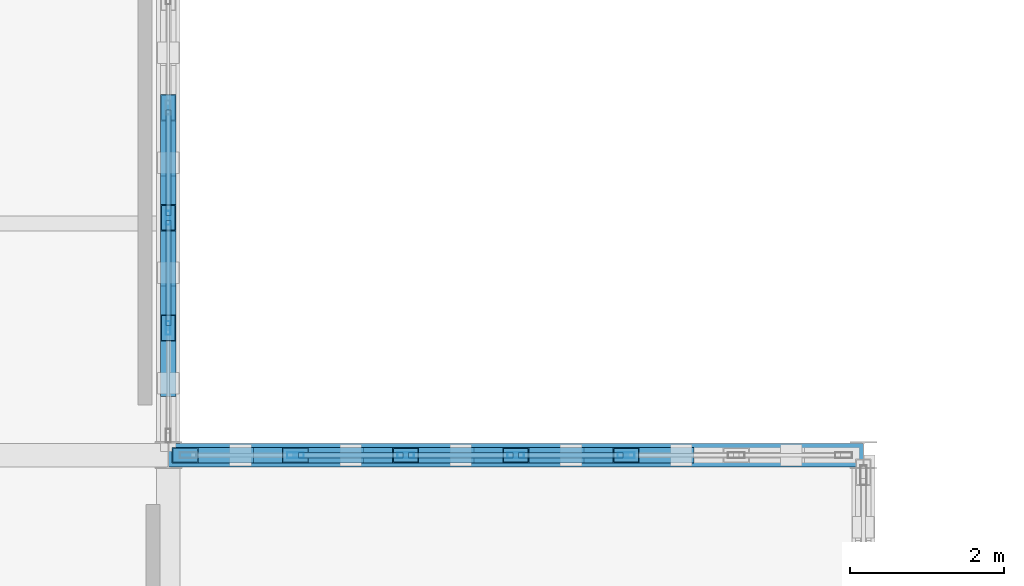
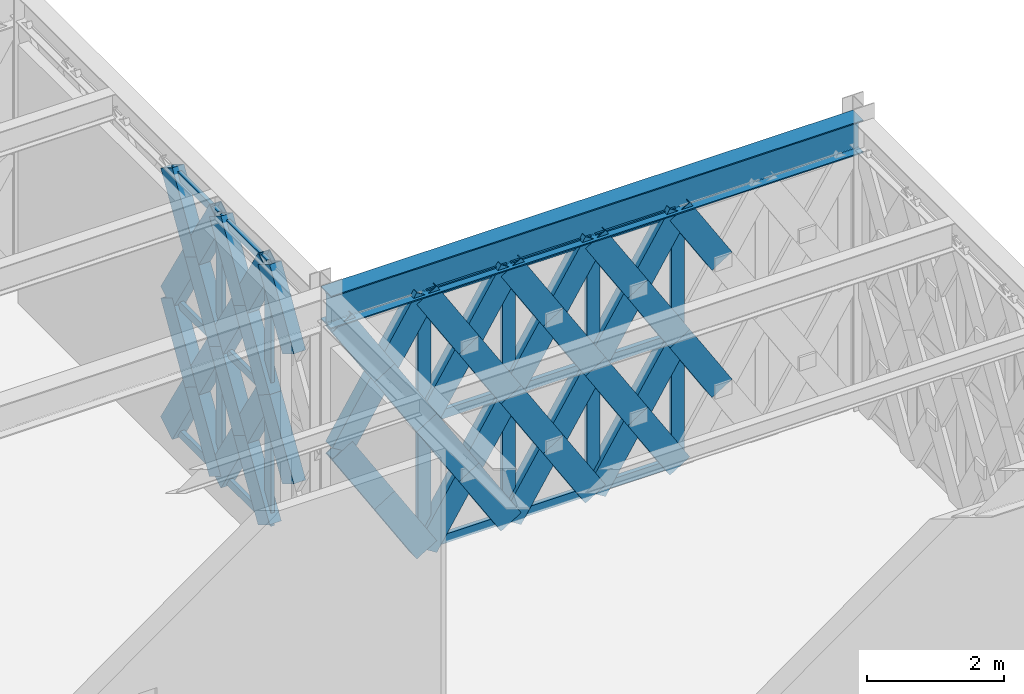
# One storey, part 120 of 166: 60 members, 1 beam, 2 elements without a shape of their own.
"""IFC4 building model written with IfcOpenShell, lengths in metres."""

import ifcopenshell
import ifcopenshell.guid

model = None  # the IFC model being written
_history = None  # IfcOwnerHistory: only IFC2X3 demands one
_inside = {}  # id of a spatial element -> (the spatial element, [elements in it])
_under = {}  # id of a project, library or spatial element -> (it, [spatial elements below it])
_declared = {}  # id of a project -> (the project, [libraries it declares])
_typed = {}  # id of a type object -> (the type object, [elements of that type])
_made_of = {}  # id of a material, layer set ... -> (it, [elements and type objects made of it])


def new_model(schema):
    """Start an empty IFC model of exactly this schema.

    Asked for "IFC4X3", IfcOpenShell would pick the latest addendum, in which some entities
    have other attributes; the version numbers below select the first issue.
    IFC2X3 requires an IfcOwnerHistory on every rooted entity: one is made here for all.
    """
    global model, _history
    if schema == "IFC4X3":
        model = ifcopenshell.file(schema_version=(4, 3, 0, 0))
    else:
        model = ifcopenshell.file(schema=schema)
    _inside.clear()
    _under.clear()
    _declared.clear()
    _typed.clear()
    _made_of.clear()
    _history = None
    if model.schema == "IFC2X3":
        org = make("IfcOrganization", Name="unknown")
        user = make(
            "IfcPersonAndOrganization",
            ThePerson=make("IfcPerson", FamilyName="unknown"),
            TheOrganization=org,
        )
        app = make(
            "IfcApplication",
            ApplicationDeveloper=org,
            Version="unknown",
            ApplicationFullName="unknown",
            ApplicationIdentifier="unknown",
        )
        _history = make(
            "IfcOwnerHistory",
            OwningUser=user,
            OwningApplication=app,
            ChangeAction="ADDED",
            CreationDate=0,
        )
    return model


def make(cls, **values):
    """One entity of the class cls with the attributes given. An attribute that is None is left unset."""
    return model.create_entity(
        cls, **{name: value for name, value in values.items() if value is not None}
    )


def rooted(cls, **values):
    """An entity with a GlobalId (a new one), such as an element, a storey or a relation."""
    return make(cls, GlobalId=ifcopenshell.guid.new(), OwnerHistory=_history, **values)


def si_unit(unit_type, name, prefix=None):
    """IfcSIUnit, for example si_unit("LENGTHUNIT", "METRE", prefix="MILLI")."""
    return make("IfcSIUnit", UnitType=unit_type, Prefix=prefix, Name=name)


def assignment(units):
    """IfcUnitAssignment: the units of a project."""
    return None if units is None else make("IfcUnitAssignment", Units=units)


def point(xyz):
    """IfcCartesianPoint."""
    return None if xyz is None else make("IfcCartesianPoint", Coordinates=xyz)


def direction(xyz):
    """IfcDirection."""
    return None if xyz is None else make("IfcDirection", DirectionRatios=xyz)


def frame(location, z_axis=None, x_axis=None):
    """IfcAxis2Placement3D, a coordinate frame: its origin and axes. An axis left out is left unset."""
    return make(
        "IfcAxis2Placement3D",
        Location=point(location),
        Axis=direction(z_axis),
        RefDirection=direction(x_axis),
    )


def frame_2d(location, x_axis=None):
    """IfcAxis2Placement2D, a coordinate frame in the plane: its origin and x axis."""
    return make(
        "IfcAxis2Placement2D", Location=point(location), RefDirection=direction(x_axis)
    )


def origin():
    """The frame at (0, 0, 0) with its axes left unset."""
    return frame((0.0, 0.0, 0.0))


def origin_2d():
    """The frame at (0, 0) in the plane with its x axis left unset."""
    return frame_2d((0.0, 0.0))


def place(relative_to, where):
    """IfcLocalPlacement: puts the frame where relative to a parent placement (None: the world)."""
    return make(
        "IfcLocalPlacement", PlacementRelTo=relative_to, RelativePlacement=where
    )


def context(
    kind, dimensions, precision=None, world=None, true_north=None, identifier=None
):
    """IfcGeometricRepresentationContext, for example the 3D "Model" context."""
    return make(
        "IfcGeometricRepresentationContext",
        ContextIdentifier=identifier,
        ContextType=kind,
        CoordinateSpaceDimension=dimensions,
        Precision=precision,
        WorldCoordinateSystem=world,
        TrueNorth=true_north,
    )


def subcontext(parent, identifier, kind, view, scale=None):
    """IfcGeometricRepresentationSubContext, for example "Body" below "Model"."""
    return make(
        "IfcGeometricRepresentationSubContext",
        ContextIdentifier=identifier,
        ContextType=kind,
        ParentContext=parent,
        TargetScale=scale,
        TargetView=view,
    )


def project(units=None, contexts=None):
    """IfcProject with its units and contexts."""
    return rooted(
        "IfcProject",
        Name="project",
        RepresentationContexts=contexts,
        UnitsInContext=assignment(units),
    )


def spatial(cls, under=None, at=None, **own):
    """A site, building, storey or space (cls), placed at a placement, below another one or the project."""
    s = rooted(cls, ObjectPlacement=at, **own)
    if under is not None:
        _under.setdefault(under.id(), (under, []))[1].append(s)
    return s


def profile(cls, at=None, kind="AREA", **sizes):
    """A parametric profile (cls). Its sizes go by their IFC names, for example OverallWidth=200.0."""
    return make(cls, ProfileType=kind, Position=at, **sizes)


def hollow_rectangle(**sizes):
    """IfcRectangleHollowProfileDef."""
    return profile("IfcRectangleHollowProfileDef", **sizes)


def i_section(**sizes):
    """IfcIShapeProfileDef."""
    return profile("IfcIShapeProfileDef", **sizes)


def extrude(swept, where, along, depth):
    """IfcExtrudedAreaSolid: the profile swept, set in the frame where, extruded along a direction by depth."""
    return make(
        "IfcExtrudedAreaSolid",
        SweptArea=swept,
        Position=where,
        ExtrudedDirection=direction(along),
        Depth=depth,
    )


def shape(context_of_items, identifier, shape_type, items):
    """IfcShapeRepresentation: the items that make up one representation, for example the "Body"."""
    return make(
        "IfcShapeRepresentation",
        ContextOfItems=context_of_items,
        RepresentationIdentifier=identifier,
        RepresentationType=shape_type,
        Items=items,
    )


def material(Name=None, Category=None):
    """IfcMaterial."""
    return make("IfcMaterial", Name=Name, Category=Category)


def material_profile(
    of_material, cross_section, Name=None, Category=None, Priority=None
):
    """IfcMaterialProfile: a cross section and its material."""
    return make(
        "IfcMaterialProfile",
        Name=Name,
        Material=of_material,
        Profile=cross_section,
        Priority=Priority,
        Category=Category,
    )


def profile_set(profiles, Name=None, composite=None):
    """IfcMaterialProfileSet."""
    return make(
        "IfcMaterialProfileSet",
        Name=Name,
        MaterialProfiles=profiles,
        CompositeProfile=composite,
    )


def made_of(thing, what):
    """Note that an element or type object is made of a material, layer set ...; save() writes the relation."""
    if what is not None:
        _made_of.setdefault(what.id(), (what, []))[1].append(thing)
    return thing


def type_object(cls, material=None, **own):
    """A type object (cls), such as IfcWallType, which elements share."""
    return made_of(rooted(cls, **own), material)


def element(
    cls,
    number,
    at=None,
    inside=None,
    cuts=None,
    type_object=None,
    material=None,
    context=None,
    identifier="Body",
    shape_type=None,
    held_by="IfcProductDefinitionShape",
    body=None,
    shapes=None,
    **own,
):
    """One element of the class cls, such as IfcWall. Its Tag is "e" and its number.

    at: its placement. inside: the storey or other place that contains it. cuts: it is an
    opening in that element (IfcRelVoidsElement). A single representation is given by context,
    identifier, shape_type and body (its items); several are given by shapes. held_by: the class
    of the entity that holds the representations. save() writes the other relations.
    """
    e = rooted(cls, Tag="e%d" % number, ObjectPlacement=at, **own)
    if body is not None:
        shapes = [shape(context, identifier, shape_type, body)]
    if shapes is not None:
        e.Representation = make(held_by, Representations=shapes)
    if inside is not None:
        _inside.setdefault(inside.id(), (inside, []))[1].append(e)
    if cuts is not None:
        rooted(
            "IfcRelVoidsElement", RelatingBuildingElement=cuts, RelatedOpeningElement=e
        )
    if type_object is not None:
        _typed.setdefault(type_object.id(), (type_object, []))[1].append(e)
    return made_of(e, material)


def aggregate(whole, parts):
    """IfcRelAggregates: a whole, such as a stair, and the parts it consists of."""
    return rooted("IfcRelAggregates", RelatingObject=whole, RelatedObjects=parts)


def save(model, path):
    """Write the relations noted so far, then the file.

    IfcRelAggregates (storeys below a building ...), IfcRelContainedInSpatialStructure (elements
    in a storey), IfcRelDefinesByType, IfcRelAssociatesMaterial and IfcRelDeclares: one each for
    every whole, place, type object, material and project.
    """
    for whole, parts in _under.values():
        aggregate(whole, parts)
    for where, things in _inside.values():
        rooted(
            "IfcRelContainedInSpatialStructure",
            RelatedElements=things,
            RelatingStructure=where,
        )
    for kind, things in _typed.values():
        rooted("IfcRelDefinesByType", RelatedObjects=things, RelatingType=kind)
    for what, things in _made_of.values():
        rooted("IfcRelAssociatesMaterial", RelatedObjects=things, RelatingMaterial=what)
    for by, libraries in _declared.values():
        rooted("IfcRelDeclares", RelatingContext=by, RelatedDefinitions=libraries)
    model.write(path)


model = new_model("IFC4")

# Units and contexts
model_context = context("Model", 3, precision=1e-05, world=origin(), true_north=direction((0.0, 1.0)))
body_context = subcontext(model_context, "Body", "Model", "MODEL_VIEW")
ifc_project = project(units=[si_unit("LENGTHUNIT", "METRE"), si_unit("AREAUNIT", "SQUARE_METRE"), si_unit("VOLUMEUNIT", "CUBIC_METRE"), si_unit("PLANEANGLEUNIT", "RADIAN"), si_unit("MASSUNIT", "GRAM", prefix="KILO")], contexts=[model_context])

# Site, building, storey
site_placement = place(None, origin())
site = spatial("IfcSite", under=ifc_project, at=site_placement, CompositionType="ELEMENT")
building_placement = place(site_placement, origin())
building = spatial("IfcBuilding", under=site, at=building_placement, Name="Haizhuo Lancet Aquarium", CompositionType="ELEMENT")
storey_placement = place(building_placement, frame((0.0, 0.0, 5.39990234375)))
storey = spatial("IfcBuildingStorey", under=building, at=storey_placement, Name="L01", CompositionType="ELEMENT", Elevation=5.39990234375)

# Beam
ifc_material_1 = material(Name="Steel S355", Category="steel")
ifc_material_profile_1 = material_profile(ifc_material_1, i_section(OverallWidth=0.300048828125, OverallDepth=0.587890625, WebThickness=0.011962890625, FlangeThickness=0.02001953125, FilletRadius=0.02587890625, at=origin_2d()), Name="HM 588x300x12x20")
ifc_profile_set_1 = profile_set([ifc_material_profile_1], Name="Steel S355")
beam_type = type_object("IfcBeamType", Name="BM-ST-HM588", PredefinedType="BEAM", material=ifc_profile_set_1)
beam_placement = place(storey_placement, frame((63.0, 27.0, 4.84619140625), z_axis=(1.0, 0.0, 0.0), x_axis=(0.0, 1.0, 0.0)))
element("IfcBeam", 1, at=beam_placement, inside=storey, type_object=beam_type, Name="L01 V7 primary girder BM-L01-V7-026", PredefinedType="BEAM", context=body_context, shape_type="SweptSolid", body=[
    extrude(i_section(OverallWidth=0.300048828125, OverallDepth=0.587890625, WebThickness=0.011962890625, FlangeThickness=0.02001953125, FilletRadius=0.02587890625, at=origin_2d()), origin(), (0.0, 0.0, 1.0), 9.0),
])

# Curtain wall, members
ifc_material_2 = material(Name="Aluminium 6063-T6", Category="aluminium")
curtain_wall_type_1 = type_object("IfcCurtainWallType", Name="CWD-8560x4650", PredefinedType="NOTDEFINED", material=ifc_material_2)
curtain_wall_1_placement = place(storey_placement, origin())
curtain_wall_1 = element("IfcCurtainWall", 2, at=curtain_wall_1_placement, inside=storey, type_object=curtain_wall_type_1, Name="L01 curtain wall CW-V7-L01-286", PredefinedType="NOTDEFINED")
ifc_material_profile_2 = material_profile(ifc_material_2, hollow_rectangle(XDim=0.06494140625, YDim=0.179931640625, WallThickness=0.00390625, at=origin_2d()), Name="ALU-M 65x180x4")
ifc_profile_set_2 = profile_set([ifc_material_profile_2], Name="Aluminium 6063-T6")
member_type_1 = type_object("IfcMemberType", Name="CW-MUL-1", PredefinedType="MULLION", material=ifc_profile_set_2)
member_1_placement = place(storey_placement, frame((63.0, 30.072998046875, 0.0), z_axis=(0.0, 0.0, 1.0), x_axis=(1.0, 0.0, 0.0)))
member_1 = element("IfcMember", 3, at=member_1_placement, type_object=member_type_1, Name="CWD-85x46 mullion 5", PredefinedType="MULLION", context=body_context, shape_type="SweptSolid", body=[
    extrude(hollow_rectangle(XDim=0.06494140625, YDim=0.179931640625, WallThickness=0.00390625, at=origin_2d()), origin(), (0.0, 0.0, 1.0), 4.652099609375),
])
member_2_placement = place(storey_placement, frame((63.0, 28.64697265625, 0.0), z_axis=(0.0, 0.0, 1.0), x_axis=(1.0, 0.0, 0.0)))
member_2 = element("IfcMember", 4, at=member_2_placement, type_object=member_type_1, Name="CWD-85x46 mullion 6", PredefinedType="MULLION", context=body_context, shape_type="SweptSolid", body=[
    extrude(hollow_rectangle(XDim=0.06494140625, YDim=0.179931640625, WallThickness=0.00390625, at=origin_2d()), origin(), (0.0, 0.0, 1.0), 4.652099609375),
])

curtain_wall_type_2 = type_object("IfcCurtainWallType", Name="CWD-8560x4550", PredefinedType="NOTDEFINED", material=ifc_material_2)
curtain_wall_2_placement = place(storey_placement, origin())
curtain_wall_2 = element("IfcCurtainWall", 5, at=curtain_wall_2_placement, inside=storey, type_object=curtain_wall_type_2, Name="L01 curtain wall CW-V7-L01-287", PredefinedType="NOTDEFINED")
ifc_material_profile_3 = material_profile(ifc_material_2, hollow_rectangle(XDim=0.074951171875, YDim=0.219970703125, WallThickness=0.0048828125, at=origin_2d()), Name="ALU-M 75x220x5")
ifc_profile_set_3 = profile_set([ifc_material_profile_3], Name="Aluminium 6063-T6")
member_type_2 = type_object("IfcMemberType", Name="CW-MUL-2", PredefinedType="MULLION", material=ifc_profile_set_3)
member_3_placement = place(storey_placement, frame((64.64697265625, 27.0, 0.0), z_axis=(0.0, 0.0, 1.0), x_axis=(0.0, 1.0, 0.0)))
member_3 = element("IfcMember", 6, at=member_3_placement, type_object=member_type_2, Name="CWD-85x45 mullion 2", PredefinedType="MULLION", context=body_context, shape_type="SweptSolid", body=[
    extrude(hollow_rectangle(XDim=0.074951171875, YDim=0.219970703125, WallThickness=0.0048828125, at=origin_2d()), origin(), (0.0, 0.0, 1.0), 4.552001953125),
])
member_4_placement = place(storey_placement, frame((66.072998046875, 27.0, 0.0), z_axis=(0.0, 0.0, 1.0), x_axis=(0.0, 1.0, 0.0)))
member_4 = element("IfcMember", 7, at=member_4_placement, type_object=member_type_2, Name="CWD-85x45 mullion 3", PredefinedType="MULLION", context=body_context, shape_type="SweptSolid", body=[
    extrude(hollow_rectangle(XDim=0.074951171875, YDim=0.219970703125, WallThickness=0.0048828125, at=origin_2d()), origin(), (0.0, 0.0, 1.0), 4.552001953125),
])
member_5_placement = place(storey_placement, frame((67.5, 27.0, 0.0), z_axis=(0.0, 0.0, 1.0), x_axis=(0.0, 1.0, 0.0)))
member_5 = element("IfcMember", 8, at=member_5_placement, type_object=member_type_2, Name="CWD-85x45 mullion 4", PredefinedType="MULLION", context=body_context, shape_type="SweptSolid", body=[
    extrude(hollow_rectangle(XDim=0.074951171875, YDim=0.219970703125, WallThickness=0.0048828125, at=origin_2d()), origin(), (0.0, 0.0, 1.0), 4.552001953125),
])
member_6_placement = place(storey_placement, frame((68.927001953125, 27.0, 0.0), z_axis=(0.0, 0.0, 1.0), x_axis=(0.0, 1.0, 0.0)))
member_6 = element("IfcMember", 9, at=member_6_placement, type_object=member_type_2, Name="CWD-85x45 mullion 5", PredefinedType="MULLION", context=body_context, shape_type="SweptSolid", body=[
    extrude(hollow_rectangle(XDim=0.074951171875, YDim=0.219970703125, WallThickness=0.0048828125, at=origin_2d()), origin(), (0.0, 0.0, 1.0), 4.552001953125),
])

# Member
ifc_material_profile_4 = material_profile(ifc_material_2, hollow_rectangle(XDim=0.06494140625, YDim=0.139892578125, WallThickness=0.00390625, at=origin_2d()), Name="ALU-T 65x140x4")
ifc_profile_set_4 = profile_set([ifc_material_profile_4], Name="Aluminium 6063-T6")
member_type_3 = type_object("IfcMemberType", Name="CW-TRN-1", PredefinedType="NOTDEFINED", material=ifc_profile_set_4)
member_7_placement = place(storey_placement, frame((63.0, 31.468017578125, 0.033203125), z_axis=(0.0, -1.0, 0.0), x_axis=(1.0, 0.0, 0.0)))
member_7 = element("IfcMember", 10, at=member_7_placement, type_object=member_type_3, Name="CWD-85x46 transom 4.1", ObjectType="TRANSOM", PredefinedType="USERDEFINED", context=body_context, shape_type="SweptSolid", body=[
    extrude(hollow_rectangle(XDim=0.06494140625, YDim=0.139892578125, WallThickness=0.00390625, at=origin_2d()), origin(), (0.0, 0.0, 1.0), 1.362060546875),
])

member_8_placement = place(storey_placement, frame((63.0, 31.468017578125, 2.326171875), z_axis=(0.0, -1.0, 0.0), x_axis=(1.0, 0.0, 0.0)))
member_8 = element("IfcMember", 11, at=member_8_placement, type_object=member_type_3, Name="CWD-85x46 transom 4.2", ObjectType="TRANSOM", PredefinedType="USERDEFINED", context=body_context, shape_type="SweptSolid", body=[
    extrude(hollow_rectangle(XDim=0.06494140625, YDim=0.139892578125, WallThickness=0.00390625, at=origin_2d()), origin(), (0.0, 0.0, 1.0), 1.362060546875),
])

member_9_placement = place(storey_placement, frame((63.0, 31.468017578125, 4.619140625), z_axis=(0.0, -1.0, 0.0), x_axis=(1.0, 0.0, 0.0)))
member_9 = element("IfcMember", 12, at=member_9_placement, type_object=member_type_3, Name="CWD-85x46 transom 4.3", ObjectType="TRANSOM", PredefinedType="USERDEFINED", context=body_context, shape_type="SweptSolid", body=[
    extrude(hollow_rectangle(XDim=0.06494140625, YDim=0.139892578125, WallThickness=0.00390625, at=origin_2d()), origin(), (0.0, 0.0, 1.0), 1.362060546875),
])

member_10_placement = place(storey_placement, frame((63.0, 30.041015625, 0.033203125), z_axis=(0.0, -1.0, 0.0), x_axis=(1.0, 0.0, 0.0)))
member_10 = element("IfcMember", 13, at=member_10_placement, type_object=member_type_3, Name="CWD-85x46 transom 5.1", ObjectType="TRANSOM", PredefinedType="USERDEFINED", context=body_context, shape_type="SweptSolid", body=[
    extrude(hollow_rectangle(XDim=0.06494140625, YDim=0.139892578125, WallThickness=0.00390625, at=origin_2d()), origin(), (0.0, 0.0, 1.0), 1.362060546875),
])

member_11_placement = place(storey_placement, frame((63.0, 30.041015625, 2.326171875), z_axis=(0.0, -1.0, 0.0), x_axis=(1.0, 0.0, 0.0)))
member_11 = element("IfcMember", 14, at=member_11_placement, type_object=member_type_3, Name="CWD-85x46 transom 5.2", ObjectType="TRANSOM", PredefinedType="USERDEFINED", context=body_context, shape_type="SweptSolid", body=[
    extrude(hollow_rectangle(XDim=0.06494140625, YDim=0.139892578125, WallThickness=0.00390625, at=origin_2d()), origin(), (0.0, 0.0, 1.0), 1.362060546875),
])

member_12_placement = place(storey_placement, frame((63.0, 30.041015625, 4.619140625), z_axis=(0.0, -1.0, 0.0), x_axis=(1.0, 0.0, 0.0)))
member_12 = element("IfcMember", 15, at=member_12_placement, type_object=member_type_3, Name="CWD-85x46 transom 5.3", ObjectType="TRANSOM", PredefinedType="USERDEFINED", context=body_context, shape_type="SweptSolid", body=[
    extrude(hollow_rectangle(XDim=0.06494140625, YDim=0.139892578125, WallThickness=0.00390625, at=origin_2d()), origin(), (0.0, 0.0, 1.0), 1.362060546875),
])

aggregate(curtain_wall_1, [member_1, member_2, member_7, member_8, member_9, member_10, member_11, member_12])

ifc_material_profile_5 = material_profile(ifc_material_2, hollow_rectangle(XDim=0.074951171875, YDim=0.159912109375, WallThickness=0.00390625, at=origin_2d()), Name="ALU-T 75x160x4")
ifc_profile_set_5 = profile_set([ifc_material_profile_5], Name="Aluminium 6063-T6")
member_type_4 = type_object("IfcMemberType", Name="CW-TRN-2", PredefinedType="NOTDEFINED", material=ifc_profile_set_5)
member_13_placement = place(storey_placement, frame((64.68408203125, 27.0, 0.0380859375), z_axis=(1.0, 0.0, 0.0), x_axis=(0.0, 1.0, 0.0)))
member_13 = element("IfcMember", 16, at=member_13_placement, type_object=member_type_4, Name="CWD-85x45 transom 2.1", ObjectType="TRANSOM", PredefinedType="USERDEFINED", context=body_context, shape_type="SweptSolid", body=[
    extrude(hollow_rectangle(XDim=0.074951171875, YDim=0.159912109375, WallThickness=0.00390625, at=origin_2d()), origin(), (0.0, 0.0, 1.0), 1.351806640625),
])

member_14_placement = place(storey_placement, frame((64.68408203125, 27.0, 2.276123046875), z_axis=(1.0, 0.0, 0.0), x_axis=(0.0, 1.0, 0.0)))
member_14 = element("IfcMember", 17, at=member_14_placement, type_object=member_type_4, Name="CWD-85x45 transom 2.2", ObjectType="TRANSOM", PredefinedType="USERDEFINED", context=body_context, shape_type="SweptSolid", body=[
    extrude(hollow_rectangle(XDim=0.074951171875, YDim=0.159912109375, WallThickness=0.00390625, at=origin_2d()), origin(), (0.0, 0.0, 1.0), 1.351806640625),
])

member_15_placement = place(storey_placement, frame((64.68408203125, 27.0, 4.51513671875), z_axis=(1.0, 0.0, 0.0), x_axis=(0.0, 1.0, 0.0)))
member_15 = element("IfcMember", 18, at=member_15_placement, type_object=member_type_4, Name="CWD-85x45 transom 2.3", ObjectType="TRANSOM", PredefinedType="USERDEFINED", context=body_context, shape_type="SweptSolid", body=[
    extrude(hollow_rectangle(XDim=0.074951171875, YDim=0.159912109375, WallThickness=0.00390625, at=origin_2d()), origin(), (0.0, 0.0, 1.0), 1.351806640625),
])

member_16_placement = place(storey_placement, frame((66.111083984375, 27.0, 0.0380859375), z_axis=(1.0, 0.0, 0.0), x_axis=(0.0, 1.0, 0.0)))
member_16 = element("IfcMember", 19, at=member_16_placement, type_object=member_type_4, Name="CWD-85x45 transom 3.1", ObjectType="TRANSOM", PredefinedType="USERDEFINED", context=body_context, shape_type="SweptSolid", body=[
    extrude(hollow_rectangle(XDim=0.074951171875, YDim=0.159912109375, WallThickness=0.00390625, at=origin_2d()), origin(), (0.0, 0.0, 1.0), 1.351806640625),
])

member_17_placement = place(storey_placement, frame((66.111083984375, 27.0, 2.276123046875), z_axis=(1.0, 0.0, 0.0), x_axis=(0.0, 1.0, 0.0)))
member_17 = element("IfcMember", 20, at=member_17_placement, type_object=member_type_4, Name="CWD-85x45 transom 3.2", ObjectType="TRANSOM", PredefinedType="USERDEFINED", context=body_context, shape_type="SweptSolid", body=[
    extrude(hollow_rectangle(XDim=0.074951171875, YDim=0.159912109375, WallThickness=0.00390625, at=origin_2d()), origin(), (0.0, 0.0, 1.0), 1.351806640625),
])

member_18_placement = place(storey_placement, frame((66.111083984375, 27.0, 4.51513671875), z_axis=(1.0, 0.0, 0.0), x_axis=(0.0, 1.0, 0.0)))
member_18 = element("IfcMember", 21, at=member_18_placement, type_object=member_type_4, Name="CWD-85x45 transom 3.3", ObjectType="TRANSOM", PredefinedType="USERDEFINED", context=body_context, shape_type="SweptSolid", body=[
    extrude(hollow_rectangle(XDim=0.074951171875, YDim=0.159912109375, WallThickness=0.00390625, at=origin_2d()), origin(), (0.0, 0.0, 1.0), 1.351806640625),
])

member_19_placement = place(storey_placement, frame((67.537109375, 27.0, 0.0380859375), z_axis=(1.0, 0.0, 0.0), x_axis=(0.0, 1.0, 0.0)))
member_19 = element("IfcMember", 22, at=member_19_placement, type_object=member_type_4, Name="CWD-85x45 transom 4.1", ObjectType="TRANSOM", PredefinedType="USERDEFINED", context=body_context, shape_type="SweptSolid", body=[
    extrude(hollow_rectangle(XDim=0.074951171875, YDim=0.159912109375, WallThickness=0.00390625, at=origin_2d()), origin(), (0.0, 0.0, 1.0), 1.351806640625),
])

member_20_placement = place(storey_placement, frame((67.537109375, 27.0, 2.276123046875), z_axis=(1.0, 0.0, 0.0), x_axis=(0.0, 1.0, 0.0)))
member_20 = element("IfcMember", 23, at=member_20_placement, type_object=member_type_4, Name="CWD-85x45 transom 4.2", ObjectType="TRANSOM", PredefinedType="USERDEFINED", context=body_context, shape_type="SweptSolid", body=[
    extrude(hollow_rectangle(XDim=0.074951171875, YDim=0.159912109375, WallThickness=0.00390625, at=origin_2d()), origin(), (0.0, 0.0, 1.0), 1.351806640625),
])

member_21_placement = place(storey_placement, frame((67.537109375, 27.0, 4.51513671875), z_axis=(1.0, 0.0, 0.0), x_axis=(0.0, 1.0, 0.0)))
member_21 = element("IfcMember", 24, at=member_21_placement, type_object=member_type_4, Name="CWD-85x45 transom 4.3", ObjectType="TRANSOM", PredefinedType="USERDEFINED", context=body_context, shape_type="SweptSolid", body=[
    extrude(hollow_rectangle(XDim=0.074951171875, YDim=0.159912109375, WallThickness=0.00390625, at=origin_2d()), origin(), (0.0, 0.0, 1.0), 1.351806640625),
])

aggregate(curtain_wall_2, [member_3, member_4, member_5, member_6, member_13, member_14, member_15, member_16, member_17, member_18, member_19, member_20, member_21])

# Members
ifc_material_profile_6 = material_profile(ifc_material_1, hollow_rectangle(XDim=0.199951171875, YDim=0.39990234375, WallThickness=0.011962890625, at=origin_2d()), Name="RHS 200x400x12")
ifc_profile_set_6 = profile_set([ifc_material_profile_6], Name="Steel S355")
member_type_5 = type_object("IfcMemberType", Name="MEM-LB-RHS200x400", PredefinedType="BRACE", material=ifc_profile_set_6)
member_22_placement = place(storey_placement, frame((63.0, 31.5, 0.0), z_axis=(0.0, -0.522903960116, 0.85239160513), x_axis=(1.0, 0.0, 0.0)))
element("IfcMember", 25, at=member_22_placement, inside=storey, type_object=member_type_5, Name="Gothic lancet continuous diagonal brace CW-V7-L01-286 7A", PredefinedType="BRACE", context=body_context, shape_type="SweptSolid", body=[
    extrude(hollow_rectangle(XDim=0.199951171875, YDim=0.39990234375, WallThickness=0.011962890625, at=origin_2d()), origin(), (0.0, 0.0, 1.0), 2.72900390625),
])
member_23_placement = place(storey_placement, frame((63.0, 30.072998046875, 0.0), z_axis=(0.0, 0.523228847887, 0.85219221584), x_axis=(-1.0, 0.0, 0.0)))
element("IfcMember", 26, at=member_23_placement, inside=storey, type_object=member_type_5, Name="Gothic lancet split diagonal brace CW-V7-L01-286 7B1", PredefinedType="BRACE", context=body_context, shape_type="SweptSolid", body=[
    extrude(hollow_rectangle(XDim=0.199951171875, YDim=0.39990234375, WallThickness=0.011962890625, at=origin_2d()), origin(), (0.0, 0.0, 1.0), 1.36474609375),
])
member_24_placement = place(storey_placement, frame((63.0, 30.787109375, 1.1630859375), z_axis=(0.0, 0.522578844291, 0.852590963768), x_axis=(-1.0, 0.0, 0.0)))
element("IfcMember", 27, at=member_24_placement, inside=storey, type_object=member_type_5, Name="Gothic lancet split diagonal brace CW-V7-L01-286 7B2", PredefinedType="BRACE", context=body_context, shape_type="SweptSolid", body=[
    extrude(hollow_rectangle(XDim=0.199951171875, YDim=0.39990234375, WallThickness=0.011962890625, at=origin_2d()), origin(), (0.0, 0.0, 1.0), 1.3642578125),
])
member_25_placement = place(storey_placement, frame((63.0, 31.5, 2.326171875), z_axis=(0.0, -0.522943837384, 0.852367140933), x_axis=(1.0, 0.0, 0.0)))
element("IfcMember", 28, at=member_25_placement, inside=storey, type_object=member_type_5, Name="Gothic lancet continuous diagonal brace CW-V7-L01-286 8A", PredefinedType="BRACE", context=body_context, shape_type="SweptSolid", body=[
    extrude(hollow_rectangle(XDim=0.199951171875, YDim=0.39990234375, WallThickness=0.011962890625, at=origin_2d()), origin(), (0.0, 0.0, 1.0), 2.728759765625),
])
member_26_placement = place(storey_placement, frame((63.0, 30.072998046875, 2.326171875), z_axis=(0.0, 0.523308619575, 0.85214323249), x_axis=(-1.0, 0.0, 0.0)))
element("IfcMember", 29, at=member_26_placement, inside=storey, type_object=member_type_5, Name="Gothic lancet split diagonal brace CW-V7-L01-286 8B1", PredefinedType="BRACE", context=body_context, shape_type="SweptSolid", body=[
    extrude(hollow_rectangle(XDim=0.199951171875, YDim=0.39990234375, WallThickness=0.011962890625, at=origin_2d()), origin(), (0.0, 0.0, 1.0), 1.364501953125),
])
member_27_placement = place(storey_placement, frame((63.0, 30.787109375, 3.489013671875), z_axis=(0.0, 0.522578844291, 0.852590963768), x_axis=(-1.0, 0.0, 0.0)))
element("IfcMember", 30, at=member_27_placement, inside=storey, type_object=member_type_5, Name="Gothic lancet split diagonal brace CW-V7-L01-286 8B2", PredefinedType="BRACE", context=body_context, shape_type="SweptSolid", body=[
    extrude(hollow_rectangle(XDim=0.199951171875, YDim=0.39990234375, WallThickness=0.011962890625, at=origin_2d()), origin(), (0.0, 0.0, 1.0), 1.3642578125),
])
member_28_placement = place(storey_placement, frame((63.0, 30.072998046875, 0.0), z_axis=(0.0, -0.522643885704, 0.852551094502), x_axis=(1.0, 0.0, 0.0)))
element("IfcMember", 31, at=member_28_placement, inside=storey, type_object=member_type_5, Name="Gothic lancet continuous diagonal brace CW-V7-L01-286 9A", PredefinedType="BRACE", context=body_context, shape_type="SweptSolid", body=[
    extrude(hollow_rectangle(XDim=0.199951171875, YDim=0.39990234375, WallThickness=0.011962890625, at=origin_2d()), origin(), (0.0, 0.0, 1.0), 2.728515625),
])
for number, where, z_axis, x_axis, name in (
    (32, (63.0, 28.64697265625, 0.0), (0.0, 0.522708917992, 0.852511224003), (-1.0, 0.0, 0.0), "Gothic lancet split diagonal brace CW-V7-L01-286 9B1"),
    (33, (63.0, 29.360107421875, 1.1630859375), (0.0, 0.522578844291, 0.852590963768), (-1.0, 0.0, 0.0), "Gothic lancet split diagonal brace CW-V7-L01-286 9B2"),
):
    element("IfcMember", number, at=place(storey_placement, frame(where, z_axis=z_axis, x_axis=x_axis)), inside=storey, type_object=member_type_5, Name=name, PredefinedType="BRACE", context=body_context, shape_type="SweptSolid", body=[
        extrude(hollow_rectangle(XDim=0.199951171875, YDim=0.39990234375, WallThickness=0.011962890625, at=origin_2d()), origin(), (0.0, 0.0, 1.0), 1.3642578125),
    ])
member_29_placement = place(storey_placement, frame((63.0, 30.072998046875, 2.326171875), z_axis=(0.0, -0.522683758057, 0.852526650061), x_axis=(1.0, 0.0, 0.0)))
element("IfcMember", 34, at=member_29_placement, inside=storey, type_object=member_type_5, Name="Gothic lancet continuous diagonal brace CW-V7-L01-286 10A", PredefinedType="BRACE", context=body_context, shape_type="SweptSolid", body=[
    extrude(hollow_rectangle(XDim=0.199951171875, YDim=0.39990234375, WallThickness=0.011962890625, at=origin_2d()), origin(), (0.0, 0.0, 1.0), 2.728271484375),
])
member_30_placement = place(storey_placement, frame((63.0, 28.64697265625, 2.326171875), z_axis=(0.0, 0.5227886701, 0.852462319646), x_axis=(-1.0, 0.0, 0.0)))
element("IfcMember", 35, at=member_30_placement, inside=storey, type_object=member_type_5, Name="Gothic lancet split diagonal brace CW-V7-L01-286 10B1", PredefinedType="BRACE", context=body_context, shape_type="SweptSolid", body=[
    extrude(hollow_rectangle(XDim=0.199951171875, YDim=0.39990234375, WallThickness=0.011962890625, at=origin_2d()), origin(), (0.0, 0.0, 1.0), 1.364013671875),
])
member_31_placement = place(storey_placement, frame((63.0, 29.360107421875, 3.489013671875), z_axis=(0.0, 0.522578844291, 0.852590963768), x_axis=(-1.0, 0.0, 0.0)))
element("IfcMember", 36, at=member_31_placement, inside=storey, type_object=member_type_5, Name="Gothic lancet split diagonal brace CW-V7-L01-286 10B2", PredefinedType="BRACE", context=body_context, shape_type="SweptSolid", body=[
    extrude(hollow_rectangle(XDim=0.199951171875, YDim=0.39990234375, WallThickness=0.011962890625, at=origin_2d()), origin(), (0.0, 0.0, 1.0), 1.3642578125),
])
for number, where, z_axis, x_axis, name in (
    (37, (63.0, 27.93310546875, 1.1630859375), (0.0, 0.52309892014, 0.852271975222), (-1.0, 0.0, 0.0), "Gothic lancet split diagonal brace CW-V7-L01-286 11B2"),
    (38, (63.0, 27.93310546875, 3.489013671875), (0.0, 0.52309892014, 0.852271975222), (-1.0, 0.0, 0.0), "Gothic lancet split diagonal brace CW-V7-L01-286 12B2"),
):
    element("IfcMember", number, at=place(storey_placement, frame(where, z_axis=z_axis, x_axis=x_axis)), inside=storey, type_object=member_type_5, Name=name, PredefinedType="BRACE", context=body_context, shape_type="SweptSolid", body=[
        extrude(hollow_rectangle(XDim=0.199951171875, YDim=0.39990234375, WallThickness=0.011962890625, at=origin_2d()), origin(), (0.0, 0.0, 1.0), 1.36474609375),
    ])
member_32_placement = place(storey_placement, frame((64.64697265625, 27.0, 0.0), z_axis=(-0.530815710653, 0.0, 0.847487275022), x_axis=(0.0, -1.0, 0.0)))
element("IfcMember", 39, at=member_32_placement, inside=storey, type_object=member_type_5, Name="Gothic lancet split diagonal brace CW-V7-L01-287 1B1", PredefinedType="BRACE", context=body_context, shape_type="SweptSolid", body=[
    extrude(hollow_rectangle(XDim=0.199951171875, YDim=0.39990234375, WallThickness=0.011962890625, at=origin_2d()), origin(), (0.0, 0.0, 1.0), 1.343017578125),
])
member_33_placement = place(storey_placement, frame((63.93408203125, 27.0, 1.13818359375), z_axis=(-0.531549873957, 0.0, 0.847026995731), x_axis=(0.0, -1.0, 0.0)))
element("IfcMember", 40, at=member_33_placement, inside=storey, type_object=member_type_5, Name="Gothic lancet split diagonal brace CW-V7-L01-287 1B2", PredefinedType="BRACE", context=body_context, shape_type="SweptSolid", body=[
    extrude(hollow_rectangle(XDim=0.199951171875, YDim=0.39990234375, WallThickness=0.011962890625, at=origin_2d()), origin(), (0.0, 0.0, 1.0), 1.343505859375),
])
member_34_placement = place(storey_placement, frame((63.219970703125, 27.0, 2.276123046875), z_axis=(0.531223804613, 0.0, 0.847231532353), x_axis=(0.0, 1.0, 0.0)))
element("IfcMember", 41, at=member_34_placement, inside=storey, type_object=member_type_5, Name="Gothic lancet continuous diagonal brace CW-V7-L01-287 2A", PredefinedType="BRACE", context=body_context, shape_type="SweptSolid", body=[
    extrude(hollow_rectangle(XDim=0.199951171875, YDim=0.39990234375, WallThickness=0.011962890625, at=origin_2d()), origin(), (0.0, 0.0, 1.0), 2.686279296875),
])
member_35_placement = place(storey_placement, frame((64.64697265625, 27.0, 2.276123046875), z_axis=(-0.530897499042, 0.0, 0.847436042136), x_axis=(0.0, -1.0, 0.0)))
element("IfcMember", 42, at=member_35_placement, inside=storey, type_object=member_type_5, Name="Gothic lancet split diagonal brace CW-V7-L01-287 2B1", PredefinedType="BRACE", context=body_context, shape_type="SweptSolid", body=[
    extrude(hollow_rectangle(XDim=0.199951171875, YDim=0.39990234375, WallThickness=0.011962890625, at=origin_2d()), origin(), (0.0, 0.0, 1.0), 1.3427734375),
])
member_36_placement = place(storey_placement, frame((63.93408203125, 27.0, 3.4140625), z_axis=(-0.531549873957, 0.0, 0.847026995731), x_axis=(0.0, -1.0, 0.0)))
element("IfcMember", 43, at=member_36_placement, inside=storey, type_object=member_type_5, Name="Gothic lancet split diagonal brace CW-V7-L01-287 2B2", PredefinedType="BRACE", context=body_context, shape_type="SweptSolid", body=[
    extrude(hollow_rectangle(XDim=0.199951171875, YDim=0.39990234375, WallThickness=0.011962890625, at=origin_2d()), origin(), (0.0, 0.0, 1.0), 1.343505859375),
])
member_37_placement = place(storey_placement, frame((64.64697265625, 27.0, 0.0), z_axis=(0.53092188125, 0.0, 0.847420766803), x_axis=(0.0, 1.0, 0.0)))
element("IfcMember", 44, at=member_37_placement, inside=storey, type_object=member_type_5, Name="Gothic lancet continuous diagonal brace CW-V7-L01-287 3A", PredefinedType="BRACE", context=body_context, shape_type="SweptSolid", body=[
    extrude(hollow_rectangle(XDim=0.199951171875, YDim=0.39990234375, WallThickness=0.011962890625, at=origin_2d()), origin(), (0.0, 0.0, 1.0), 2.68603515625),
])
for number, where, z_axis, x_axis, name in (
    (45, (66.072998046875, 27.0, 0.0), (-0.530815710653, 0.0, 0.847487275022), (0.0, -1.0, 0.0), "Gothic lancet split diagonal brace CW-V7-L01-287 3B1"),
    (46, (65.360107421875, 27.0, 1.13818359375), (-0.531028049623, 0.0, 0.847354241456), (0.0, -1.0, 0.0), "Gothic lancet split diagonal brace CW-V7-L01-287 3B2"),
):
    element("IfcMember", number, at=place(storey_placement, frame(where, z_axis=z_axis, x_axis=x_axis)), inside=storey, type_object=member_type_5, Name=name, PredefinedType="BRACE", context=body_context, shape_type="SweptSolid", body=[
        extrude(hollow_rectangle(XDim=0.199951171875, YDim=0.39990234375, WallThickness=0.011962890625, at=origin_2d()), origin(), (0.0, 0.0, 1.0), 1.343017578125),
    ])
member_38_placement = place(storey_placement, frame((64.64697265625, 27.0, 2.276123046875), z_axis=(0.530962779059, 0.0, 0.847395142336), x_axis=(0.0, 1.0, 0.0)))
element("IfcMember", 47, at=member_38_placement, inside=storey, type_object=member_type_5, Name="Gothic lancet continuous diagonal brace CW-V7-L01-287 4A", PredefinedType="BRACE", context=body_context, shape_type="SweptSolid", body=[
    extrude(hollow_rectangle(XDim=0.199951171875, YDim=0.39990234375, WallThickness=0.011962890625, at=origin_2d()), origin(), (0.0, 0.0, 1.0), 2.685791015625),
])
member_39_placement = place(storey_placement, frame((66.072998046875, 27.0, 2.276123046875), z_axis=(-0.530897499042, 0.0, 0.847436042136), x_axis=(0.0, -1.0, 0.0)))
element("IfcMember", 48, at=member_39_placement, inside=storey, type_object=member_type_5, Name="Gothic lancet split diagonal brace CW-V7-L01-287 4B1", PredefinedType="BRACE", context=body_context, shape_type="SweptSolid", body=[
    extrude(hollow_rectangle(XDim=0.199951171875, YDim=0.39990234375, WallThickness=0.011962890625, at=origin_2d()), origin(), (0.0, 0.0, 1.0), 1.3427734375),
])
member_40_placement = place(storey_placement, frame((65.360107421875, 27.0, 3.4140625), z_axis=(-0.531028049623, 0.0, 0.847354241456), x_axis=(0.0, -1.0, 0.0)))
element("IfcMember", 49, at=member_40_placement, inside=storey, type_object=member_type_5, Name="Gothic lancet split diagonal brace CW-V7-L01-287 4B2", PredefinedType="BRACE", context=body_context, shape_type="SweptSolid", body=[
    extrude(hollow_rectangle(XDim=0.199951171875, YDim=0.39990234375, WallThickness=0.011962890625, at=origin_2d()), origin(), (0.0, 0.0, 1.0), 1.343017578125),
])
member_41_placement = place(storey_placement, frame((66.072998046875, 27.0, 0.0), z_axis=(0.531182902496, 0.0, 0.84725717707), x_axis=(0.0, 1.0, 0.0)))
element("IfcMember", 50, at=member_41_placement, inside=storey, type_object=member_type_5, Name="Gothic lancet continuous diagonal brace CW-V7-L01-287 5A", PredefinedType="BRACE", context=body_context, shape_type="SweptSolid", body=[
    extrude(hollow_rectangle(XDim=0.199951171875, YDim=0.39990234375, WallThickness=0.011962890625, at=origin_2d()), origin(), (0.0, 0.0, 1.0), 2.6865234375),
])
member_42_placement = place(storey_placement, frame((67.5, 27.0, 0.0), z_axis=(-0.531468064081, 0.0, 0.847078329827), x_axis=(0.0, -1.0, 0.0)))
element("IfcMember", 51, at=member_42_placement, inside=storey, type_object=member_type_5, Name="Gothic lancet split diagonal brace CW-V7-L01-287 5B1", PredefinedType="BRACE", context=body_context, shape_type="SweptSolid", body=[
    extrude(hollow_rectangle(XDim=0.199951171875, YDim=0.39990234375, WallThickness=0.011962890625, at=origin_2d()), origin(), (0.0, 0.0, 1.0), 1.34375),
])
member_43_placement = place(storey_placement, frame((66.785888671875, 27.0, 1.13818359375), z_axis=(-0.530897499042, 0.0, 0.847436042136), x_axis=(0.0, -1.0, 0.0)))
element("IfcMember", 52, at=member_43_placement, inside=storey, type_object=member_type_5, Name="Gothic lancet split diagonal brace CW-V7-L01-287 5B2", PredefinedType="BRACE", context=body_context, shape_type="SweptSolid", body=[
    extrude(hollow_rectangle(XDim=0.199951171875, YDim=0.39990234375, WallThickness=0.011962890625, at=origin_2d()), origin(), (0.0, 0.0, 1.0), 1.3427734375),
])
member_44_placement = place(storey_placement, frame((66.072998046875, 27.0, 2.276123046875), z_axis=(0.531223804613, 0.0, 0.847231532353), x_axis=(0.0, 1.0, 0.0)))
element("IfcMember", 53, at=member_44_placement, inside=storey, type_object=member_type_5, Name="Gothic lancet continuous diagonal brace CW-V7-L01-287 6A", PredefinedType="BRACE", context=body_context, shape_type="SweptSolid", body=[
    extrude(hollow_rectangle(XDim=0.199951171875, YDim=0.39990234375, WallThickness=0.011962890625, at=origin_2d()), origin(), (0.0, 0.0, 1.0), 2.686279296875),
])
member_45_placement = place(storey_placement, frame((67.5, 27.0, 2.276123046875), z_axis=(-0.531549873957, 0.0, 0.847026995731), x_axis=(0.0, -1.0, 0.0)))
element("IfcMember", 54, at=member_45_placement, inside=storey, type_object=member_type_5, Name="Gothic lancet split diagonal brace CW-V7-L01-287 6B1", PredefinedType="BRACE", context=body_context, shape_type="SweptSolid", body=[
    extrude(hollow_rectangle(XDim=0.199951171875, YDim=0.39990234375, WallThickness=0.011962890625, at=origin_2d()), origin(), (0.0, 0.0, 1.0), 1.343505859375),
])
member_46_placement = place(storey_placement, frame((66.785888671875, 27.0, 3.4140625), z_axis=(-0.530897499042, 0.0, 0.847436042136), x_axis=(0.0, -1.0, 0.0)))
element("IfcMember", 55, at=member_46_placement, inside=storey, type_object=member_type_5, Name="Gothic lancet split diagonal brace CW-V7-L01-287 6B2", PredefinedType="BRACE", context=body_context, shape_type="SweptSolid", body=[
    extrude(hollow_rectangle(XDim=0.199951171875, YDim=0.39990234375, WallThickness=0.011962890625, at=origin_2d()), origin(), (0.0, 0.0, 1.0), 1.3427734375),
])
member_47_placement = place(storey_placement, frame((67.5, 27.0, 0.0), z_axis=(0.531182902496, 0.0, 0.84725717707), x_axis=(0.0, 1.0, 0.0)))
element("IfcMember", 56, at=member_47_placement, inside=storey, type_object=member_type_5, Name="Gothic lancet continuous diagonal brace CW-V7-L01-287 7A", PredefinedType="BRACE", context=body_context, shape_type="SweptSolid", body=[
    extrude(hollow_rectangle(XDim=0.199951171875, YDim=0.39990234375, WallThickness=0.011962890625, at=origin_2d()), origin(), (0.0, 0.0, 1.0), 2.6865234375),
])
member_48_placement = place(storey_placement, frame((68.927001953125, 27.0, 0.0), z_axis=(-0.530815710653, 0.0, 0.847487275022), x_axis=(0.0, -1.0, 0.0)))
element("IfcMember", 57, at=member_48_placement, inside=storey, type_object=member_type_5, Name="Gothic lancet split diagonal brace CW-V7-L01-287 7B1", PredefinedType="BRACE", context=body_context, shape_type="SweptSolid", body=[
    extrude(hollow_rectangle(XDim=0.199951171875, YDim=0.39990234375, WallThickness=0.011962890625, at=origin_2d()), origin(), (0.0, 0.0, 1.0), 1.343017578125),
])
member_49_placement = place(storey_placement, frame((68.214111328125, 27.0, 1.13818359375), z_axis=(-0.531549873957, 0.0, 0.847026995731), x_axis=(0.0, -1.0, 0.0)))
element("IfcMember", 58, at=member_49_placement, inside=storey, type_object=member_type_5, Name="Gothic lancet split diagonal brace CW-V7-L01-287 7B2", PredefinedType="BRACE", context=body_context, shape_type="SweptSolid", body=[
    extrude(hollow_rectangle(XDim=0.199951171875, YDim=0.39990234375, WallThickness=0.011962890625, at=origin_2d()), origin(), (0.0, 0.0, 1.0), 1.343505859375),
])
member_50_placement = place(storey_placement, frame((67.5, 27.0, 2.276123046875), z_axis=(0.531223804613, 0.0, 0.847231532353), x_axis=(0.0, 1.0, 0.0)))
element("IfcMember", 59, at=member_50_placement, inside=storey, type_object=member_type_5, Name="Gothic lancet continuous diagonal brace CW-V7-L01-287 8A", PredefinedType="BRACE", context=body_context, shape_type="SweptSolid", body=[
    extrude(hollow_rectangle(XDim=0.199951171875, YDim=0.39990234375, WallThickness=0.011962890625, at=origin_2d()), origin(), (0.0, 0.0, 1.0), 2.686279296875),
])
member_51_placement = place(storey_placement, frame((68.927001953125, 27.0, 2.276123046875), z_axis=(-0.530897499042, 0.0, 0.847436042136), x_axis=(0.0, -1.0, 0.0)))
element("IfcMember", 60, at=member_51_placement, inside=storey, type_object=member_type_5, Name="Gothic lancet split diagonal brace CW-V7-L01-287 8B1", PredefinedType="BRACE", context=body_context, shape_type="SweptSolid", body=[
    extrude(hollow_rectangle(XDim=0.199951171875, YDim=0.39990234375, WallThickness=0.011962890625, at=origin_2d()), origin(), (0.0, 0.0, 1.0), 1.3427734375),
])
member_52_placement = place(storey_placement, frame((68.214111328125, 27.0, 3.4140625), z_axis=(-0.531549873957, 0.0, 0.847026995731), x_axis=(0.0, -1.0, 0.0)))
element("IfcMember", 61, at=member_52_placement, inside=storey, type_object=member_type_5, Name="Gothic lancet split diagonal brace CW-V7-L01-287 8B2", PredefinedType="BRACE", context=body_context, shape_type="SweptSolid", body=[
    extrude(hollow_rectangle(XDim=0.199951171875, YDim=0.39990234375, WallThickness=0.011962890625, at=origin_2d()), origin(), (0.0, 0.0, 1.0), 1.343505859375),
])
for number, where, z_axis, x_axis, name in (
    (62, (69.639892578125, 27.0, 1.13818359375), (-0.530897499042, 0.0, 0.847436042136), (0.0, -1.0, 0.0), "Gothic lancet split diagonal brace CW-V7-L01-287 9B2"),
    (63, (69.639892578125, 27.0, 3.4140625), (-0.530897499042, 0.0, 0.847436042136), (0.0, -1.0, 0.0), "Gothic lancet split diagonal brace CW-V7-L01-287 10B2"),
):
    element("IfcMember", number, at=place(storey_placement, frame(where, z_axis=z_axis, x_axis=x_axis)), inside=storey, type_object=member_type_5, Name=name, PredefinedType="BRACE", context=body_context, shape_type="SweptSolid", body=[
        extrude(hollow_rectangle(XDim=0.199951171875, YDim=0.39990234375, WallThickness=0.011962890625, at=origin_2d()), origin(), (0.0, 0.0, 1.0), 1.3427734375),
    ])

save(model, "model.ifc")
